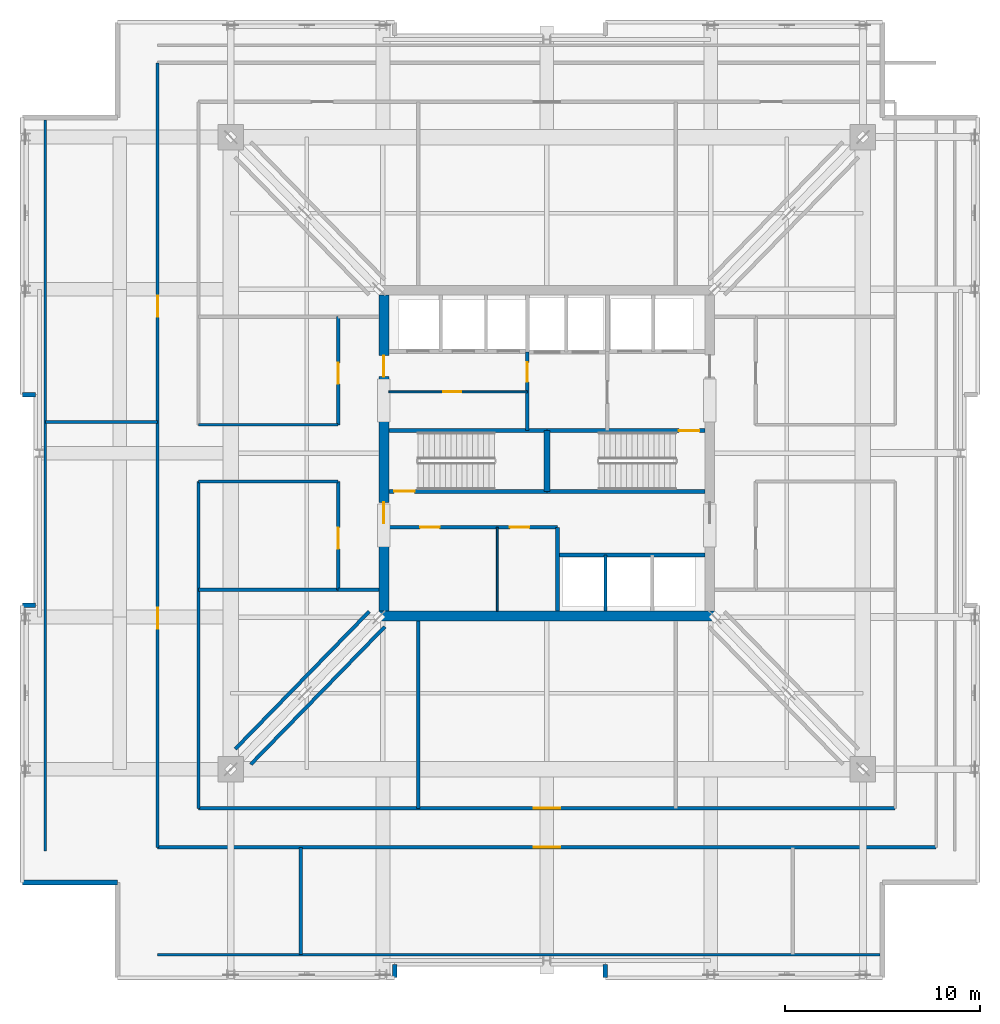
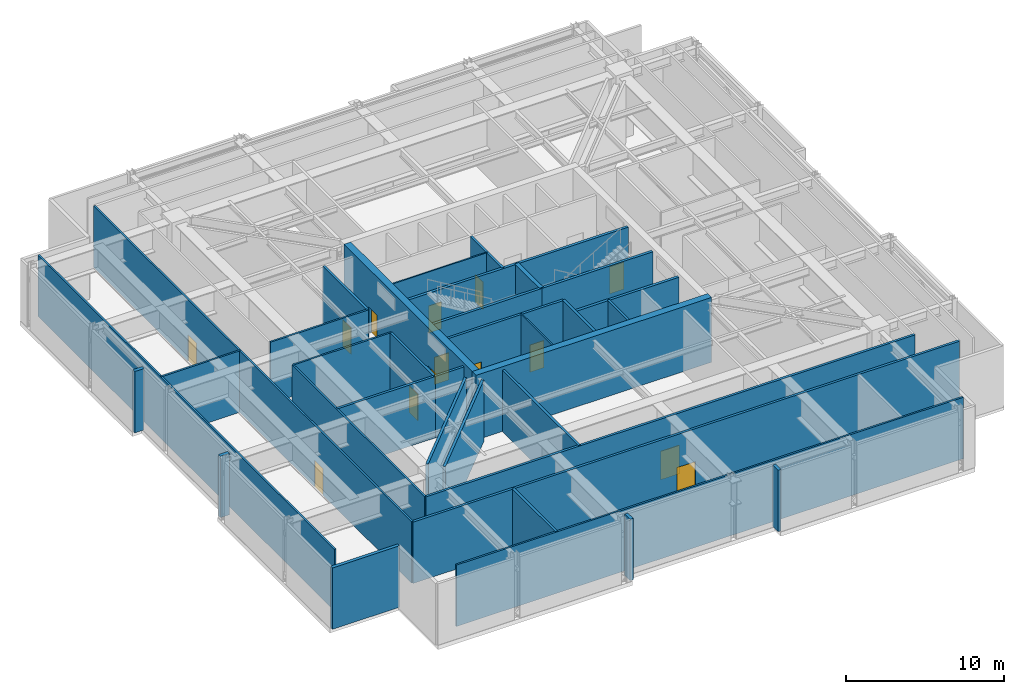
# One storey, part 7 of 13: 36 walls, 14 doors, 14 openings.
"""IFC4 building model written with IfcOpenShell, lengths in metres."""

from ifc_helpers import new_model, si_unit, direction, frame, frame_2d, origin, place, context, subcontext, project, spatial, rectangle, extrude, material, layer, layer_set, type_object, element, fill, save


model = new_model("IFC4")

# Units and contexts
model_context = context("Model", 3, precision=1e-05, world=origin(), true_north=direction((0.0, 1.0)))
body_context = subcontext(model_context, "Body", "Model", "MODEL_VIEW")
ifc_project = project(units=[si_unit("LENGTHUNIT", "METRE"), si_unit("AREAUNIT", "SQUARE_METRE"), si_unit("VOLUMEUNIT", "CUBIC_METRE"), si_unit("PLANEANGLEUNIT", "RADIAN"), si_unit("MASSUNIT", "GRAM", prefix="KILO")], contexts=[model_context])

# Site, building, storey
site_placement = place(None, origin())
site = spatial("IfcSite", under=ifc_project, at=site_placement, CompositionType="ELEMENT")
building_placement = place(site_placement, origin())
building = spatial("IfcBuilding", under=site, at=building_placement, Name="Drelvath Grand Hotel", CompositionType="ELEMENT")
storey_placement = place(building_placement, frame((0.0, 0.0, 200.10009765625)))
storey = spatial("IfcBuildingStorey", under=building, at=storey_placement, Name="L52", CompositionType="ELEMENT", Elevation=200.10009765625)

# Wall, opening, door
ifc_material_1 = material(Name="Gypsum Partition Board")
ifc_layer_1 = layer(ifc_material_1, 0.10009765625)
ifc_layer_set_1 = layer_set([ifc_layer_1], Name="Gypsum Partition Board")
wall_type_1 = type_object("IfcWallType", Name="Core Closet Partition 100", PredefinedType="PARTITIONING", material=ifc_layer_set_1)
wall_1_placement = place(storey_placement, frame((-8.10009765625, 30.139892578125, 0.0), z_axis=(0.0, 0.0, 1.0), x_axis=(1.0, 0.0, 0.0)))
wall_1 = element("IfcWall", 1, at=wall_1_placement, inside=storey, type_object=wall_type_1, Name="L52 High-Rise Lobby Closet Wall", PredefinedType="PARTITIONING", context=body_context, shape_type="SweptSolid", body=[
    extrude(rectangle(XDim=7.10009765625, YDim=0.10009765625, at=frame_2d((3.550048828125, 0.0))), origin(), (0.0, 0.0, 1.0), 4.739990234375),
])
opening_1_placement = place(wall_1_placement, frame((2.800048828125, 0.0, 0.0)))
opening_1 = element("IfcOpeningElement", 2, at=opening_1_placement, cuts=wall_1, Name="Opening D-L52-014", PredefinedType="OPENING", context=body_context, shape_type="SweptSolid", body=[
    extrude(rectangle(XDim=0.919921875, YDim=2.10009765625, at=frame_2d((0.4599609375, 1.050048828125))), frame((0.0, 0.06005859375, 0.0), z_axis=(0.0, -1.0, 0.0), x_axis=(1.0, 0.0, 0.0)), (0.0, 0.0, 1.0), 0.1201171875),
])
ifc_material_2 = material(Name="Painted Steel S275", Category="steel")
door_type_1 = type_object("IfcDoorType", Name="Staff Utility Door 920x2100", OperationType="NOTDEFINED", PredefinedType="DOOR", material=ifc_material_2)
door_1_placement = place(opening_1_placement, origin())
door_1 = element("IfcDoor", 3, at=door_1_placement, inside=storey, type_object=door_type_1, Name="L52 Core Telecom Door", OperationType="SINGLE_SWING_LEFT", OverallHeight=2.10009765625, OverallWidth=0.919921875, PredefinedType="DOOR", context=body_context, shape_type="SweptSolid", body=[
    extrude(rectangle(XDim=0.919921875, YDim=2.10009765625, at=frame_2d((0.4599609375, 1.050048828125))), frame((0.0, 0.02490234375, 0.0), z_axis=(0.0, -1.0, 0.0), x_axis=(1.0, 0.0, 0.0)), (0.0, 0.0, 1.0), 0.050048828125),
])
fill(opening_1, door_1)

# Walls
wall_2_placement = place(storey_placement, frame((-2.5400390625, 18.89990234375, 0.0), z_axis=(0.0, 0.0, 1.0), x_axis=(0.0, 1.0, 0.0)))
element("IfcWall", 4, at=wall_2_placement, inside=storey, type_object=wall_type_1, Name="L52 Reclaimed Core Split Wall", PredefinedType="PARTITIONING", context=body_context, shape_type="SweptSolid", body=[
    extrude(rectangle(XDim=4.300048828125, YDim=0.10009765625, at=frame_2d((2.14990234375, 0.0))), origin(), (0.0, 0.0, 1.0), 4.739990234375),
])
ifc_material_3 = material(Name="Concrete C40/50", Category="concrete")
ifc_layer_2 = layer(ifc_material_3, 0.199951171875)
ifc_layer_set_2 = layer_set([ifc_layer_2], Name="Concrete C40/50")
wall_type_2 = type_object("IfcWallType", Name="Core Hoistway Fire Wall 200", PredefinedType="SOLIDWALL", material=ifc_layer_set_2)
wall_3_placement = place(storey_placement, frame((8.10009765625, 21.780029296875, 0.0), z_axis=(0.0, 0.0, 1.0), x_axis=(-1.0, 0.0, 0.0)))
element("IfcWall", 5, at=wall_3_placement, inside=storey, type_object=wall_type_2, Name="L52 Bank 2 Hoistway Wall", PredefinedType="SOLIDWALL", context=body_context, shape_type="SweptSolid", body=[
    extrude(rectangle(XDim=7.550048828125, YDim=0.199951171875, at=frame_2d((3.77490234375, 0.0))), origin(), (0.0, 0.0, 1.0), 4.739990234375),
])
wall_4_placement = place(storey_placement, frame((0.550048828125, 18.89990234375, 0.0), z_axis=(0.0, 0.0, 1.0), x_axis=(0.0, 1.0, 0.0)))
element("IfcWall", 6, at=wall_4_placement, inside=storey, type_object=wall_type_2, Name="L52 Bank 2 West Wall", PredefinedType="SOLIDWALL", context=body_context, shape_type="SweptSolid", body=[
    extrude(rectangle(XDim=4.300048828125, YDim=0.199951171875, at=frame_2d((2.14990234375, 0.0))), origin(), (0.0, 0.0, 1.0), 4.739990234375),
])

# Wall, opening, door
ifc_layer_3 = layer(ifc_material_3, 0.199951171875)
ifc_layer_set_3 = layer_set([ifc_layer_3], Name="Concrete C40/50")
wall_type_3 = type_object("IfcWallType", Name="Core Shaft Fire Wall 200", PredefinedType="SOLIDWALL", material=ifc_layer_set_3)
wall_5_placement = place(storey_placement, frame((-8.10009765625, 25.0400390625, 0.0), z_axis=(0.0, 0.0, 1.0), x_axis=(1.0, 0.0, 0.0)))
wall_5 = element("IfcWall", 7, at=wall_5_placement, inside=storey, type_object=wall_type_3, Name="L52 Stair ST-1 South Wall", PredefinedType="SOLIDWALL", context=body_context, shape_type="SweptSolid", body=[
    extrude(rectangle(XDim=8.10009765625, YDim=0.199951171875, at=frame_2d((4.050048828125, 0.0))), origin(), (0.0, 0.0, 1.0), 4.739990234375),
])
opening_2_placement = place(wall_5_placement, frame((0.280029296875, 0.0, 0.0)))
opening_2 = element("IfcOpeningElement", 8, at=opening_2_placement, cuts=wall_5, Name="Opening D-L52-001", PredefinedType="OPENING", context=body_context, shape_type="SweptSolid", body=[
    extrude(rectangle(XDim=1.050048828125, YDim=2.10009765625, at=frame_2d((0.52490234375, 1.050048828125))), frame((0.0, 0.10986328125, 0.0), z_axis=(0.0, -1.0, 0.0), x_axis=(1.0, 0.0, 0.0)), (0.0, 0.0, 1.0), 0.219970703125),
])
door_type_2 = type_object("IfcDoorType", Name="Tower Stairwell Fire Door 1050x2100", OperationType="NOTDEFINED", PredefinedType="DOOR", material=ifc_material_2)
door_2_placement = place(opening_2_placement, origin())
door_2 = element("IfcDoor", 9, at=door_2_placement, inside=storey, type_object=door_type_2, Name="L52 Exit Stair ST-1 Door", OperationType="SINGLE_SWING_LEFT", OverallHeight=2.10009765625, OverallWidth=1.050048828125, PredefinedType="DOOR", context=body_context, shape_type="SweptSolid", body=[
    extrude(rectangle(XDim=1.050048828125, YDim=2.10009765625, at=frame_2d((0.52490234375, 1.050048828125))), frame((0.0, 0.02490234375, 0.0), z_axis=(0.0, -1.0, 0.0), x_axis=(1.0, 0.0, 0.0)), (0.0, 0.0, 1.0), 0.050048828125),
])
fill(opening_2, door_2)

# Walls
for number, where, z_axis, x_axis, name in (
    (10, (-8.10009765625, 28.159912109375, 0.0), (0.0, 0.0, 1.0), (1.0, 0.0, 0.0), "L52 Stair ST-1 North Wall"),
    (11, (0.0, 25.0400390625, 0.0), (0.0, 0.0, 1.0), (1.0, 0.0, 0.0), "L52 Stair ST-2 South Wall"),
):
    element("IfcWall", number, at=place(storey_placement, frame(where, z_axis=z_axis, x_axis=x_axis)), inside=storey, type_object=wall_type_3, Name=name, PredefinedType="SOLIDWALL", context=body_context, shape_type="SweptSolid", body=[
        extrude(rectangle(XDim=8.10009765625, YDim=0.199951171875, at=frame_2d((4.050048828125, 0.0))), origin(), (0.0, 0.0, 1.0), 4.739990234375),
    ])

# Wall, opening, door
wall_6_placement = place(storey_placement, frame((8.10009765625, 28.159912109375, 0.0), z_axis=(0.0, 0.0, 1.0), x_axis=(-1.0, 0.0, 0.0)))
wall_6 = element("IfcWall", 12, at=wall_6_placement, inside=storey, type_object=wall_type_3, Name="L52 Stair ST-2 North Wall", PredefinedType="SOLIDWALL", context=body_context, shape_type="SweptSolid", body=[
    extrude(rectangle(XDim=8.10009765625, YDim=0.199951171875, at=frame_2d((4.050048828125, 0.0))), origin(), (0.0, 0.0, 1.0), 4.739990234375),
])
opening_3_placement = place(wall_6_placement, frame((0.280029296875, 0.0, 0.0)))
opening_3 = element("IfcOpeningElement", 13, at=opening_3_placement, cuts=wall_6, Name="Opening D-L52-002", PredefinedType="OPENING", context=body_context, shape_type="SweptSolid", body=[
    extrude(rectangle(XDim=1.050048828125, YDim=2.10009765625, at=frame_2d((0.52490234375, 1.050048828125))), frame((0.0, 0.10986328125, 0.0), z_axis=(0.0, -1.0, 0.0), x_axis=(1.0, 0.0, 0.0)), (0.0, 0.0, 1.0), 0.219970703125),
])
door_3_placement = place(opening_3_placement, origin())
door_3 = element("IfcDoor", 14, at=door_3_placement, inside=storey, type_object=door_type_2, Name="L52 Exit Stair ST-2 Door", OperationType="SINGLE_SWING_LEFT", OverallHeight=2.10009765625, OverallWidth=1.050048828125, PredefinedType="DOOR", context=body_context, shape_type="SweptSolid", body=[
    extrude(rectangle(XDim=1.050048828125, YDim=2.10009765625, at=frame_2d((0.52490234375, 1.050048828125))), frame((0.0, 0.02490234375, 0.0), z_axis=(0.0, -1.0, 0.0), x_axis=(1.0, 0.0, 0.0)), (0.0, 0.0, 1.0), 0.050048828125),
])
fill(opening_3, door_3)

# Walls
ifc_layer_4 = layer(ifc_material_3, 0.300048828125)
ifc_layer_set_4 = layer_set([ifc_layer_4], Name="Concrete C40/50")
wall_type_4 = type_object("IfcWallType", Name="Core Shaft Fire Wall 300", PredefinedType="SOLIDWALL", material=ifc_layer_set_4)
wall_7_placement = place(storey_placement, frame((0.0, 25.0400390625, 0.0), z_axis=(0.0, 0.0, 1.0), x_axis=(0.0, 1.0, 0.0)))
element("IfcWall", 15, at=wall_7_placement, inside=storey, type_object=wall_type_4, Name="L52 Core Stair Divider Wall", PredefinedType="SOLIDWALL", context=body_context, shape_type="SweptSolid", body=[
    extrude(rectangle(XDim=3.119873046875, YDim=0.300048828125, at=frame_2d((1.56005859375, 0.0))), origin(), (0.0, 0.0, 1.0), 4.739990234375),
])
ifc_material_4 = material(Name="Gypsum Fireboard Partition")
ifc_layer_5 = layer(ifc_material_4, 0.1650390625)
ifc_layer_set_5 = layer_set([ifc_layer_5], Name="Gypsum Fireboard Partition")
wall_type_5 = type_object("IfcWallType", Name="Core Shaft Partition 165", PredefinedType="PARTITIONING", material=ifc_layer_set_5)
wall_8_placement = place(storey_placement, frame((3.0, 18.89990234375, 0.0), z_axis=(0.0, 0.0, 1.0), x_axis=(0.0, 1.0, 0.0)))
element("IfcWall", 16, at=wall_8_placement, inside=storey, type_object=wall_type_5, Name="L52 Lift PE-4/5 Divider", PredefinedType="PARTITIONING", context=body_context, shape_type="SweptSolid", body=[
    extrude(rectangle(XDim=2.880126953125, YDim=0.1650390625, at=frame_2d((1.43994140625, 0.0))), origin(), (0.0, 0.0, 1.0), 4.739990234375),
])
ifc_layer_6 = layer(ifc_material_4, 0.135009765625)
ifc_layer_set_6 = layer_set([ifc_layer_6], Name="Gypsum Fireboard Partition")
wall_type_6 = type_object("IfcWallType", Name="Corridor Fire Barrier Wall 135", PredefinedType="PARTITIONING", material=ifc_layer_set_6)
wall_9_placement = place(storey_placement, frame((-25.699951171875, 6.60009765625, 0.0), z_axis=(0.0, 0.0, 1.0), x_axis=(0.0, 1.0, 0.0)))
element("IfcWall", 17, at=wall_9_placement, inside=storey, type_object=wall_type_6, Name="L52 West Belt Plenum Wall", PredefinedType="PARTITIONING", context=body_context, shape_type="SweptSolid", body=[
    extrude(rectangle(XDim=37.47998046875, YDim=0.135009765625, at=frame_2d((18.739990234375, 0.0))), origin(), (0.0, 0.0, 1.0), 4.739990234375),
])
wall_10_placement = place(storey_placement, frame((-19.949951171875, 1.300048828125, 0.0), z_axis=(0.0, 0.0, 1.0), x_axis=(1.0, 0.0, 0.0)))
element("IfcWall", 18, at=wall_10_placement, inside=storey, type_object=wall_type_6, Name="L52 South Belt Plenum Wall", PredefinedType="PARTITIONING", context=body_context, shape_type="SweptSolid", body=[
    extrude(rectangle(XDim=37.030029296875, YDim=0.135009765625, at=frame_2d((18.51513671875, 0.0))), origin(), (0.0, 0.0, 1.0), 4.739990234375),
])
for number, where, z_axis, x_axis, name in (
    (19, (-17.85009765625, 25.550048828125, 0.0), (0.0, 0.0, 1.0), (1.0, 0.0, 0.0), "L52 West Cross-Arm South Wall"),
    (20, (-17.85009765625, 28.449951171875, 0.0), (0.0, 0.0, 1.0), (1.0, 0.0, 0.0), "L52 West Cross-Arm North Wall"),
):
    element("IfcWall", number, at=place(storey_placement, frame(where, z_axis=z_axis, x_axis=x_axis)), inside=storey, type_object=wall_type_6, Name=name, PredefinedType="PARTITIONING", context=body_context, shape_type="SweptSolid", body=[
        extrude(rectangle(XDim=7.150146484375, YDim=0.135009765625, at=frame_2d((3.5751953125, 0.0))), origin(), (0.0, 0.0, 1.0), 4.739990234375),
    ])

# Wall, openings, doors
wall_11_placement = place(storey_placement, frame((-19.949951171875, 6.800048828125, 0.0), z_axis=(0.0, 0.0, 1.0), x_axis=(0.0, 1.0, 0.0)))
wall_11 = element("IfcWall", 21, at=wall_11_placement, inside=storey, type_object=wall_type_6, Name="L52 West Outer Leg Outer Wall", PredefinedType="PARTITIONING", context=body_context, shape_type="SweptSolid", body=[
    extrude(rectangle(XDim=40.199951171875, YDim=0.135009765625, at=frame_2d((20.10009765625, 0.0))), origin(), (0.0, 0.0, 1.0), 4.739990234375),
])
opening_4_placement = place(wall_11_placement, frame((11.199951171875, 0.0, 0.0)))
opening_4 = element("IfcOpeningElement", 22, at=opening_4_placement, cuts=wall_11, Name="Opening D-L52-026", PredefinedType="OPENING", context=body_context, shape_type="SweptSolid", body=[
    extrude(rectangle(XDim=1.080078125, YDim=2.0400390625, at=frame_2d((0.5400390625, 1.02001953125))), frame((0.0, 0.077392578125, 0.0), z_axis=(0.0, -1.0, 0.0), x_axis=(1.0, 0.0, 0.0)), (0.0, 0.0, 1.0), 0.155029296875),
])
opening_5_placement = place(wall_11_placement, frame((27.199951171875, 0.0, 0.0)))
opening_5 = element("IfcOpeningElement", 23, at=opening_5_placement, cuts=wall_11, Name="Opening D-L52-027", PredefinedType="OPENING", context=body_context, shape_type="SweptSolid", body=[
    extrude(rectangle(XDim=1.080078125, YDim=2.0400390625, at=frame_2d((0.5400390625, 1.02001953125))), frame((0.0, 0.077392578125, 0.0), z_axis=(0.0, -1.0, 0.0), x_axis=(1.0, 0.0, 0.0)), (0.0, 0.0, 1.0), 0.155029296875),
])
door_type_3 = type_object("IfcDoorType", Name="Core Corridor Fire Door 1080x2100", OperationType="NOTDEFINED", PredefinedType="DOOR", material=ifc_material_2)
door_4_placement = place(opening_4_placement, origin())
door_4 = element("IfcDoor", 24, at=door_4_placement, inside=storey, type_object=door_type_3, Name="L52 Chilled Water Plant Door", OperationType="SINGLE_SWING_LEFT", OverallHeight=2.0400390625, OverallWidth=1.080078125, PredefinedType="DOOR", context=body_context, shape_type="SweptSolid", body=[
    extrude(rectangle(XDim=1.080078125, YDim=2.0400390625, at=frame_2d((0.5400390625, 1.02001953125))), frame((0.0, 0.02490234375, 0.0), z_axis=(0.0, -1.0, 0.0), x_axis=(1.0, 0.0, 0.0)), (0.0, 0.0, 1.0), 0.050048828125),
])
fill(opening_4, door_4)
door_5_placement = place(opening_5_placement, origin())
door_5 = element("IfcDoor", 25, at=door_5_placement, inside=storey, type_object=door_type_3, Name="L52 Heat Exchanger Plant Door", OperationType="SINGLE_SWING_RIGHT", OverallHeight=2.0400390625, OverallWidth=1.080078125, PredefinedType="DOOR", context=body_context, shape_type="SweptSolid", body=[
    extrude(rectangle(XDim=1.080078125, YDim=2.0400390625, at=frame_2d((0.5400390625, 1.02001953125))), frame((0.0, 0.02490234375, 0.0), z_axis=(0.0, -1.0, 0.0), x_axis=(1.0, 0.0, 0.0)), (0.0, 0.0, 1.0), 0.050048828125),
])
fill(opening_5, door_5)

# Walls
wall_12_placement = place(storey_placement, frame((-17.85009765625, 8.800048828125, 0.0), z_axis=(0.0, 0.0, 1.0), x_axis=(0.0, 1.0, 0.0)))
element("IfcWall", 26, at=wall_12_placement, inside=storey, type_object=wall_type_6, Name="L52 West Outer Leg Inner S", PredefinedType="PARTITIONING", context=body_context, shape_type="SweptSolid", body=[
    extrude(rectangle(XDim=16.75, YDim=0.135009765625, at=frame_2d((8.375, 0.0))), origin(), (0.0, 0.0, 1.0), 4.739990234375),
])
wall_13_placement = place(storey_placement, frame((-25.699951171875, 28.60009765625, 0.0), z_axis=(0.0, 0.0, 1.0), x_axis=(1.0, 0.0, 0.0)))
element("IfcWall", 27, at=wall_13_placement, inside=storey, type_object=wall_type_6, Name="L52 Outer West Plant Split", PredefinedType="PARTITIONING", context=body_context, shape_type="SweptSolid", body=[
    extrude(rectangle(XDim=5.75, YDim=0.135009765625, at=frame_2d((2.875, 0.0))), origin(), (0.0, 0.0, 1.0), 4.739990234375),
])

# Wall, opening, door
ifc_layer_7 = layer(ifc_material_4, 0.179931640625)
ifc_layer_set_7 = layer_set([ifc_layer_7], Name="Gypsum Fireboard Partition")
wall_type_7 = type_object("IfcWallType", Name="FSAE Smoke Lobby Fire Wall 180", PredefinedType="SOLIDWALL", material=ifc_layer_set_7)
wall_14_placement = place(storey_placement, frame((-1.0, 28.159912109375, 0.0), z_axis=(0.0, 0.0, 1.0), x_axis=(0.0, 1.0, 0.0)))
wall_14 = element("IfcWall", 28, at=wall_14_placement, inside=storey, type_object=wall_type_7, Name="L52 Service Vestibule West Wall", PredefinedType="SOLIDWALL", context=body_context, shape_type="SweptSolid", body=[
    extrude(rectangle(XDim=4.02001953125, YDim=0.179931640625, at=frame_2d((2.010009765625, 0.0))), origin(), (0.0, 0.0, 1.0), 4.739990234375),
])
opening_6_placement = place(wall_14_placement, frame((2.489990234375, 0.0, 0.0)))
opening_6 = element("IfcOpeningElement", 29, at=opening_6_placement, cuts=wall_14, Name="Opening D-L52-009", PredefinedType="OPENING", context=body_context, shape_type="SweptSolid", body=[
    extrude(rectangle(XDim=1.0, YDim=2.10009765625, at=frame_2d((0.5, 1.050048828125))), frame((0.0, 0.099853515625, 0.0), z_axis=(0.0, -1.0, 0.0), x_axis=(1.0, 0.0, 0.0)), (0.0, 0.0, 1.0), 0.199951171875),
])
door_type_4 = type_object("IfcDoorType", Name="Core Service Fire Door 1000x2100", OperationType="NOTDEFINED", PredefinedType="DOOR", material=ifc_material_2)
door_6_placement = place(opening_6_placement, origin())
door_6 = element("IfcDoor", 30, at=door_6_placement, inside=storey, type_object=door_type_4, Name="L52 Service Vestibule West Door", OperationType="SINGLE_SWING_LEFT", OverallHeight=2.10009765625, OverallWidth=1.0, PredefinedType="DOOR", context=body_context, shape_type="SweptSolid", body=[
    extrude(rectangle(XDim=1.0, YDim=2.10009765625, at=frame_2d((0.5, 1.050048828125))), frame((0.0, 0.02490234375, 0.0), z_axis=(0.0, -1.0, 0.0), x_axis=(1.0, 0.0, 0.0)), (0.0, 0.0, 1.0), 0.050048828125),
])
fill(opening_6, door_6)

# Wall, openings, doors
wall_15_placement = place(storey_placement, frame((-8.10009765625, 23.199951171875, 0.0), z_axis=(0.0, 0.0, 1.0), x_axis=(1.0, 0.0, 0.0)))
wall_15 = element("IfcWall", 31, at=wall_15_placement, inside=storey, type_object=wall_type_7, Name="L52 Reclaimed Core Room Wall", PredefinedType="SOLIDWALL", context=body_context, shape_type="SweptSolid", body=[
    extrude(rectangle(XDim=8.650146484375, YDim=0.179931640625, at=frame_2d((4.3251953125, 0.0))), origin(), (0.0, 0.0, 1.0), 4.739990234375),
])
opening_7_placement = place(wall_15_placement, frame((1.60009765625, 0.0, 0.0)))
opening_7 = element("IfcOpeningElement", 32, at=opening_7_placement, cuts=wall_15, Name="Opening D-L52-017", PredefinedType="OPENING", context=body_context, shape_type="SweptSolid", body=[
    extrude(rectangle(XDim=1.0, YDim=2.10009765625, at=frame_2d((0.5, 1.050048828125))), frame((0.0, 0.099853515625, 0.0), z_axis=(0.0, -1.0, 0.0), x_axis=(1.0, 0.0, 0.0)), (0.0, 0.0, 1.0), 0.199951171875),
])
opening_8_placement = place(wall_15_placement, frame((6.199951171875, 0.0, 0.0)))
opening_8 = element("IfcOpeningElement", 33, at=opening_8_placement, cuts=wall_15, Name="Opening D-L52-018", PredefinedType="OPENING", context=body_context, shape_type="SweptSolid", body=[
    extrude(rectangle(XDim=1.0, YDim=2.10009765625, at=frame_2d((0.5, 1.050048828125))), frame((0.0, 0.099853515625, 0.0), z_axis=(0.0, -1.0, 0.0), x_axis=(1.0, 0.0, 0.0)), (0.0, 0.0, 1.0), 0.199951171875),
])
door_7_placement = place(opening_7_placement, origin())
door_7 = element("IfcDoor", 34, at=door_7_placement, inside=storey, type_object=door_type_4, Name="L52 Housekeeping Door", OperationType="SINGLE_SWING_RIGHT", OverallHeight=2.10009765625, OverallWidth=1.0, PredefinedType="DOOR", context=body_context, shape_type="SweptSolid", body=[
    extrude(rectangle(XDim=1.0, YDim=2.10009765625, at=frame_2d((0.5, 1.050048828125))), frame((0.0, 0.02490234375, 0.0), z_axis=(0.0, -1.0, 0.0), x_axis=(1.0, 0.0, 0.0)), (0.0, 0.0, 1.0), 0.050048828125),
])
fill(opening_7, door_7)
door_8_placement = place(opening_8_placement, origin())
door_8 = element("IfcDoor", 35, at=door_8_placement, inside=storey, type_object=door_type_4, Name="L52 Butler Pantry Door", OperationType="SINGLE_SWING_LEFT", OverallHeight=2.10009765625, OverallWidth=1.0, PredefinedType="DOOR", context=body_context, shape_type="SweptSolid", body=[
    extrude(rectangle(XDim=1.0, YDim=2.10009765625, at=frame_2d((0.5, 1.050048828125))), frame((0.0, 0.02490234375, 0.0), z_axis=(0.0, -1.0, 0.0), x_axis=(1.0, 0.0, 0.0)), (0.0, 0.0, 1.0), 0.050048828125),
])
fill(opening_8, door_8)

# Walls
for number, where, z_axis, x_axis, name in (
    (36, (-9.105712890625, 18.88330078125, 0.0), (0.0, 0.0, 1.0), (-0.697867337648, -0.71622704434, 0.0), "L52 Truss SW Fire Bulkhead A"),
    (37, (-8.3037109375, 18.101806640625, 0.0), (0.0, 0.0, 1.0), (-0.697854936738, -0.716239127157, 0.0), "L52 Truss SW Fire Bulkhead B"),
):
    element("IfcWall", number, at=place(storey_placement, frame(where, z_axis=z_axis, x_axis=x_axis)), inside=storey, type_object=wall_type_7, Name=name, PredefinedType="SOLIDWALL", context=body_context, shape_type="SweptSolid", body=[
        extrude(rectangle(XDim=9.84033203125, YDim=0.179931640625, at=frame_2d((4.920166015625, 0.0))), origin(), (0.0, 0.0, 1.0), 4.739990234375),
    ])

# Wall, opening, door
wall_16_placement = place(storey_placement, frame((-10.699951171875, 20.0, 0.0), z_axis=(0.0, 0.0, 1.0), x_axis=(0.0, 1.0, 0.0)))
wall_16 = element("IfcWall", 38, at=wall_16_placement, inside=storey, type_object=wall_type_7, Name="L52 Plant West Foyer Lower Wall", PredefinedType="SOLIDWALL", context=body_context, shape_type="SweptSolid", body=[
    extrude(rectangle(XDim=5.550048828125, YDim=0.179931640625, at=frame_2d((2.77490234375, 0.0))), origin(), (0.0, 0.0, 1.0), 4.739990234375),
])
opening_9_placement = place(wall_16_placement, frame((2.10009765625, 0.0, 0.0)))
opening_9 = element("IfcOpeningElement", 39, at=opening_9_placement, cuts=wall_16, Name="Opening D-L52-022", PredefinedType="OPENING", context=body_context, shape_type="SweptSolid", body=[
    extrude(rectangle(XDim=1.080078125, YDim=2.0400390625, at=frame_2d((0.5400390625, 1.02001953125))), frame((0.0, 0.099853515625, 0.0), z_axis=(0.0, -1.0, 0.0), x_axis=(1.0, 0.0, 0.0)), (0.0, 0.0, 1.0), 0.199951171875),
])
door_9_placement = place(opening_9_placement, origin())
door_9 = element("IfcDoor", 40, at=door_9_placement, inside=storey, type_object=door_type_3, Name="L52 AHU Plant Door", OperationType="SINGLE_SWING_LEFT", OverallHeight=2.0400390625, OverallWidth=1.080078125, PredefinedType="DOOR", context=body_context, shape_type="SweptSolid", body=[
    extrude(rectangle(XDim=1.080078125, YDim=2.0400390625, at=frame_2d((0.5400390625, 1.02001953125))), frame((0.0, 0.02490234375, 0.0), z_axis=(0.0, -1.0, 0.0), x_axis=(1.0, 0.0, 0.0)), (0.0, 0.0, 1.0), 0.050048828125),
])
fill(opening_9, door_9)

wall_17_placement = place(storey_placement, frame((-10.699951171875, 28.449951171875, 0.0), z_axis=(0.0, 0.0, 1.0), x_axis=(0.0, 1.0, 0.0)))
wall_17 = element("IfcWall", 41, at=wall_17_placement, inside=storey, type_object=wall_type_7, Name="L52 Plant West Foyer Upper Wall", PredefinedType="SOLIDWALL", context=body_context, shape_type="SweptSolid", body=[
    extrude(rectangle(XDim=5.550048828125, YDim=0.179931640625, at=frame_2d((2.77490234375, 0.0))), origin(), (0.0, 0.0, 1.0), 4.739990234375),
])
opening_10_placement = place(wall_17_placement, frame((2.10009765625, 0.0, 0.0)))
opening_10 = element("IfcOpeningElement", 42, at=opening_10_placement, cuts=wall_17, Name="Opening D-L52-023", PredefinedType="OPENING", context=body_context, shape_type="SweptSolid", body=[
    extrude(rectangle(XDim=1.080078125, YDim=2.0400390625, at=frame_2d((0.5400390625, 1.02001953125))), frame((0.0, 0.099853515625, 0.0), z_axis=(0.0, -1.0, 0.0), x_axis=(1.0, 0.0, 0.0)), (0.0, 0.0, 1.0), 0.199951171875),
])
door_10_placement = place(opening_10_placement, origin())
door_10 = element("IfcDoor", 43, at=door_10_placement, inside=storey, type_object=door_type_3, Name="L52 Makeup Fan Plant Door", OperationType="SINGLE_SWING_RIGHT", OverallHeight=2.0400390625, OverallWidth=1.080078125, PredefinedType="DOOR", context=body_context, shape_type="SweptSolid", body=[
    extrude(rectangle(XDim=1.080078125, YDim=2.0400390625, at=frame_2d((0.5400390625, 1.02001953125))), frame((0.0, 0.02490234375, 0.0), z_axis=(0.0, -1.0, 0.0), x_axis=(1.0, 0.0, 0.0)), (0.0, 0.0, 1.0), 0.050048828125),
])
fill(opening_10, door_10)

# Wall
wall_18_placement = place(storey_placement, frame((-10.699951171875, 20.0, 0.0), z_axis=(0.0, 0.0, 1.0), x_axis=(1.0, 0.0, 0.0)))
element("IfcWall", 44, at=wall_18_placement, inside=storey, type_object=wall_type_7, Name="L52 Plant West Foyer South End", PredefinedType="SOLIDWALL", context=body_context, shape_type="SweptSolid", body=[
    extrude(rectangle(XDim=2.099853515625, YDim=0.179931640625, at=frame_2d((1.0498046875, 0.0))), origin(), (0.0, 0.0, 1.0), 4.739990234375),
])

# Wall, opening, door
wall_19_placement = place(storey_placement, frame((-19.949951171875, 6.800048828125, 0.0), z_axis=(0.0, 0.0, 1.0), x_axis=(1.0, 0.0, 0.0)))
wall_19 = element("IfcWall", 45, at=wall_19_placement, inside=storey, type_object=wall_type_7, Name="L52 South Connector Outer Wall", PredefinedType="SOLIDWALL", context=body_context, shape_type="SweptSolid", body=[
    extrude(rectangle(XDim=39.89990234375, YDim=0.179931640625, at=frame_2d((19.949951171875, 0.0))), origin(), (0.0, 0.0, 1.0), 4.739990234375),
])
opening_11_placement = place(wall_19_placement, frame((19.27001953125, 0.0, 0.0)))
opening_11 = element("IfcOpeningElement", 46, at=opening_11_placement, cuts=wall_19, Name="Opening D-L52-020", PredefinedType="OPENING", context=body_context, shape_type="SweptSolid", body=[
    extrude(rectangle(XDim=1.360107421875, YDim=2.199951171875, at=frame_2d((0.68017578125, 1.10009765625))), frame((0.0, 0.099853515625, 0.0), z_axis=(0.0, -1.0, 0.0), x_axis=(1.0, 0.0, 0.0)), (0.0, 0.0, 1.0), 0.199951171875),
])
door_type_5 = type_object("IfcDoorType", Name="Plant Equipment Double Fire Door 1360x2200", OperationType="NOTDEFINED", PredefinedType="DOOR", material=ifc_material_2)
door_11_placement = place(opening_11_placement, origin())
door_11 = element("IfcDoor", 47, at=door_11_placement, inside=storey, type_object=door_type_5, Name="L52 South Perimeter Refuge Door", OperationType="SINGLE_SWING_LEFT", OverallHeight=2.199951171875, OverallWidth=1.360107421875, PredefinedType="DOOR", context=body_context, shape_type="SweptSolid", body=[
    extrude(rectangle(XDim=1.360107421875, YDim=2.199951171875, at=frame_2d((0.68017578125, 1.10009765625))), frame((0.0, 0.02490234375, 0.0), z_axis=(0.0, -1.0, 0.0), x_axis=(1.0, 0.0, 0.0)), (0.0, 0.0, 1.0), 0.050048828125),
])
fill(opening_11, door_11)

wall_20_placement = place(storey_placement, frame((-17.85009765625, 8.800048828125, 0.0), z_axis=(0.0, 0.0, 1.0), x_axis=(1.0, 0.0, 0.0)))
wall_20 = element("IfcWall", 48, at=wall_20_placement, inside=storey, type_object=wall_type_7, Name="L52 South Connector Inner Wall", PredefinedType="SOLIDWALL", context=body_context, shape_type="SweptSolid", body=[
    extrude(rectangle(XDim=35.7001953125, YDim=0.179931640625, at=frame_2d((17.85009765625, 0.0))), origin(), (0.0, 0.0, 1.0), 4.739990234375),
])
opening_12_placement = place(wall_20_placement, frame((17.169921875, 0.0, 0.0)))
opening_12 = element("IfcOpeningElement", 49, at=opening_12_placement, cuts=wall_20, Name="Opening D-L52-019", PredefinedType="OPENING", context=body_context, shape_type="SweptSolid", body=[
    extrude(rectangle(XDim=1.360107421875, YDim=2.199951171875, at=frame_2d((0.68017578125, 1.10009765625))), frame((0.0, 0.099853515625, 0.0), z_axis=(0.0, -1.0, 0.0), x_axis=(1.0, 0.0, 0.0)), (0.0, 0.0, 1.0), 0.199951171875),
])
door_12_placement = place(opening_12_placement, origin())
door_12 = element("IfcDoor", 50, at=door_12_placement, inside=storey, type_object=door_type_5, Name="L52 South Core Refuge Door", OperationType="SINGLE_SWING_RIGHT", OverallHeight=2.199951171875, OverallWidth=1.360107421875, PredefinedType="DOOR", context=body_context, shape_type="SweptSolid", body=[
    extrude(rectangle(XDim=1.360107421875, YDim=2.199951171875, at=frame_2d((0.68017578125, 1.10009765625))), frame((0.0, 0.02490234375, 0.0), z_axis=(0.0, -1.0, 0.0), x_axis=(1.0, 0.0, 0.0)), (0.0, 0.0, 1.0), 0.050048828125),
])
fill(opening_12, door_12)

# Walls
wall_21_placement = place(storey_placement, frame((-6.60009765625, 8.800048828125, 0.0), z_axis=(0.0, 0.0, 1.0), x_axis=(0.0, 1.0, 0.0)))
element("IfcWall", 51, at=wall_21_placement, inside=storey, type_object=wall_type_7, Name="L52 South Refuge Inner West Wall", PredefinedType="SOLIDWALL", context=body_context, shape_type="SweptSolid", body=[
    extrude(rectangle(XDim=9.599853515625, YDim=0.179931640625, at=frame_2d((4.7998046875, 0.0))), origin(), (0.0, 0.0, 1.0), 4.739990234375),
])
wall_22_placement = place(storey_placement, frame((-12.60009765625, 1.300048828125, 0.0), z_axis=(0.0, 0.0, 1.0), x_axis=(0.0, 1.0, 0.0)))
element("IfcWall", 52, at=wall_22_placement, inside=storey, type_object=wall_type_7, Name="L52 South Apron Refuge West Wall", PredefinedType="SOLIDWALL", context=body_context, shape_type="SweptSolid", body=[
    extrude(rectangle(XDim=5.5, YDim=0.179931640625, at=frame_2d((2.75, 0.0))), origin(), (0.0, 0.0, 1.0), 4.739990234375),
])
wall_23_placement = place(storey_placement, frame((-17.85009765625, 20.0, 0.0), z_axis=(0.0, 0.0, 1.0), x_axis=(1.0, 0.0, 0.0)))
element("IfcWall", 53, at=wall_23_placement, inside=storey, type_object=wall_type_7, Name="L52 West Inner Plant South Wall", PredefinedType="SOLIDWALL", context=body_context, shape_type="SweptSolid", body=[
    extrude(rectangle(XDim=7.150146484375, YDim=0.179931640625, at=frame_2d((3.5751953125, 0.0))), origin(), (0.0, 0.0, 1.0), 4.739990234375),
])
ifc_material_5 = material(Name="Pale-Metal Insulated Aluminium Spandrel Assembly", Category="aluminium")
ifc_layer_8 = layer(ifc_material_5, 0.239990234375)
ifc_layer_set_8 = layer_set([ifc_layer_8], Name="Pale-Metal Insulated Aluminium Spandrel Assembly")
wall_type_8 = type_object("IfcWallType", Name="Tower Insulated Metal Spandrel Closure Wall 240", PredefinedType="STANDARD", material=ifc_layer_set_8)
wall_24_placement = place(storey_placement, frame((-22.0, 5.0, 0.0), z_axis=(0.0, 0.0, 1.0), x_axis=(-1.0, 0.0, 0.0)))
element("IfcWall", 54, at=wall_24_placement, inside=storey, type_object=wall_type_8, Name="L52 Notched Corner Return Spandrel Wall CSW2", PredefinedType="STANDARD", context=body_context, shape_type="SweptSolid", body=[
    extrude(rectangle(XDim=4.8798828125, YDim=0.239990234375, at=frame_2d((2.43994140625, 0.0))), origin(), (0.0, 0.0, 1.0), 4.739990234375),
])
for number, where, z_axis, x_axis, name in (
    (55, (-26.8798828125, 19.199951171875, 0.0), (0.0, 0.0, 1.0), (1.0, 0.0, 0.0), "L52 Notched Corner Return Spandrel Wall RW1"),
    (56, (-26.199951171875, 30.0, 0.0), (0.0, 0.0, 1.0), (-1.0, 0.0, 0.0), "L52 Notched Corner Return Spandrel Wall RW2"),
    (57, (3.0, 0.1201171875, 0.0), (0.0, 0.0, 1.0), (0.0, 1.0, 0.0), "L52 Notched Corner Return Spandrel Wall RS1"),
    (58, (-7.800048828125, 0.800048828125, 0.0), (0.0, 0.0, 1.0), (0.0, -1.0, 0.0), "L52 Notched Corner Return Spandrel Wall RS2"),
):
    element("IfcWall", number, at=place(storey_placement, frame(where, z_axis=z_axis, x_axis=x_axis)), inside=storey, type_object=wall_type_8, Name=name, PredefinedType="STANDARD", context=body_context, shape_type="SweptSolid", body=[
        extrude(rectangle(XDim=0.679931640625, YDim=0.239990234375, at=frame_2d((0.33984375, 0.0))), origin(), (0.0, 0.0, 1.0), 4.739990234375),
    ])
ifc_material_6 = material(Name="Concrete f'c 55 MPa", Category="concrete")
ifc_layer_9 = layer(ifc_material_6, 0.5)
ifc_layer_set_9 = layer_set([ifc_layer_9], Name="Concrete f'c 55 MPa")
wall_type_9 = type_object("IfcWallType", Name="Upper Core RC Shear Wall 500", PredefinedType="SHEAR", material=ifc_layer_set_9)
wall_25_placement = place(storey_placement, frame((8.60009765625, 18.64990234375, 0.0), z_axis=(0.0, 0.0, 1.0), x_axis=(-1.0, 0.0, 0.0)))
element("IfcWall", 59, at=wall_25_placement, inside=storey, type_object=wall_type_9, Name="L52 Central Core Shear Wall S", PredefinedType="SHEAR", context=body_context, shape_type="SweptSolid", body=[
    extrude(rectangle(XDim=17.2001953125, YDim=0.5, at=frame_2d((8.60009765625, 0.0))), origin(), (0.0, 0.0, 1.0), 5.0),
])

# Wall, openings, doors
wall_26_placement = place(storey_placement, frame((-8.35009765625, 18.89990234375, 0.0), z_axis=(0.0, 0.0, 1.0), x_axis=(0.0, 1.0, 0.0)))
wall_26 = element("IfcWall", 60, at=wall_26_placement, inside=storey, type_object=wall_type_9, Name="L52 Central Core Shear Wall W", PredefinedType="SHEAR", context=body_context, shape_type="SweptSolid", body=[
    extrude(rectangle(XDim=16.2001953125, YDim=0.5, at=frame_2d((8.10009765625, 0.0))), origin(), (0.0, 0.0, 1.0), 5.0),
])
opening_13_placement = place(wall_26_placement, frame((12.02001953125, 0.0, 0.0)))
opening_13 = element("IfcOpeningElement", 61, at=opening_13_placement, cuts=wall_26, Name="Opening D-L52-013", PredefinedType="OPENING", context=body_context, shape_type="SweptSolid", body=[
    extrude(rectangle(XDim=1.080078125, YDim=2.0400390625, at=frame_2d((0.5400390625, 1.02001953125))), frame((0.0, 0.260009765625, 0.0), z_axis=(0.0, -1.0, 0.0), x_axis=(1.0, 0.0, 0.0)), (0.0, 0.0, 1.0), 0.52001953125),
])
opening_14_placement = place(wall_26_placement, frame((4.5, 0.0, 0.0)))
opening_14 = element("IfcOpeningElement", 62, at=opening_14_placement, cuts=wall_26, Name="Opening D-L52-015", PredefinedType="OPENING", context=body_context, shape_type="SweptSolid", body=[
    extrude(rectangle(XDim=1.080078125, YDim=2.0400390625, at=frame_2d((0.5400390625, 1.02001953125))), frame((0.0, 0.260009765625, 0.0), z_axis=(0.0, -1.0, 0.0), x_axis=(1.0, 0.0, 0.0)), (0.0, 0.0, 1.0), 0.52001953125),
])
door_13_placement = place(opening_13_placement, origin())
door_13 = element("IfcDoor", 63, at=door_13_placement, inside=storey, type_object=door_type_3, Name="L52 High-Rise Lift Lobby West Door", OperationType="SINGLE_SWING_RIGHT", OverallHeight=2.0400390625, OverallWidth=1.080078125, PredefinedType="DOOR", context=body_context, shape_type="SweptSolid", body=[
    extrude(rectangle(XDim=1.080078125, YDim=2.0400390625, at=frame_2d((0.5400390625, 1.02001953125))), frame((0.0, 0.02490234375, 0.0), z_axis=(0.0, -1.0, 0.0), x_axis=(1.0, 0.0, 0.0)), (0.0, 0.0, 1.0), 0.050048828125),
])
fill(opening_13, door_13)
door_14_placement = place(opening_14_placement, origin())
door_14 = element("IfcDoor", 64, at=door_14_placement, inside=storey, type_object=door_type_3, Name="L52 Mid-Rise Lobby West Door", OperationType="SINGLE_SWING_RIGHT", OverallHeight=2.0400390625, OverallWidth=1.080078125, PredefinedType="DOOR", context=body_context, shape_type="SweptSolid", body=[
    extrude(rectangle(XDim=1.080078125, YDim=2.0400390625, at=frame_2d((0.5400390625, 1.02001953125))), frame((0.0, 0.02490234375, 0.0), z_axis=(0.0, -1.0, 0.0), x_axis=(1.0, 0.0, 0.0)), (0.0, 0.0, 1.0), 0.050048828125),
])
fill(opening_14, door_14)

save(model, "model.ifc")
